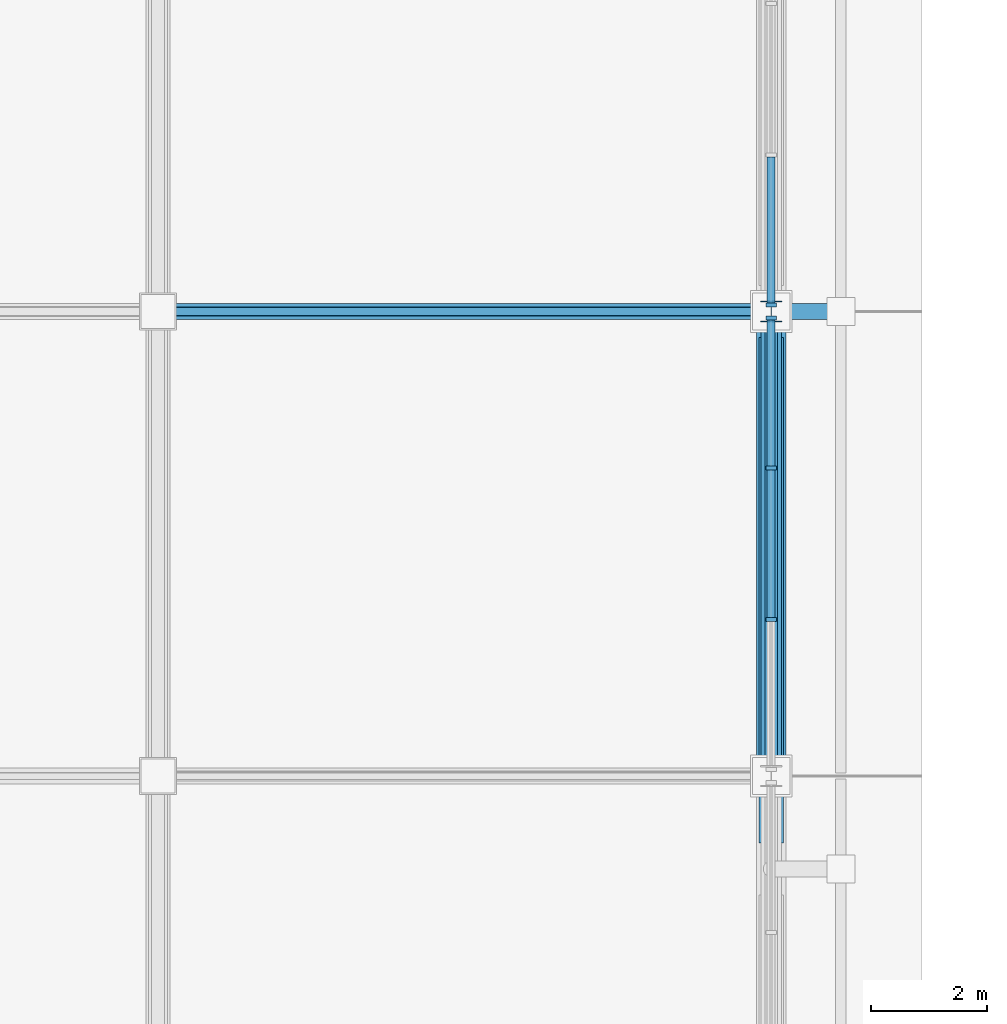
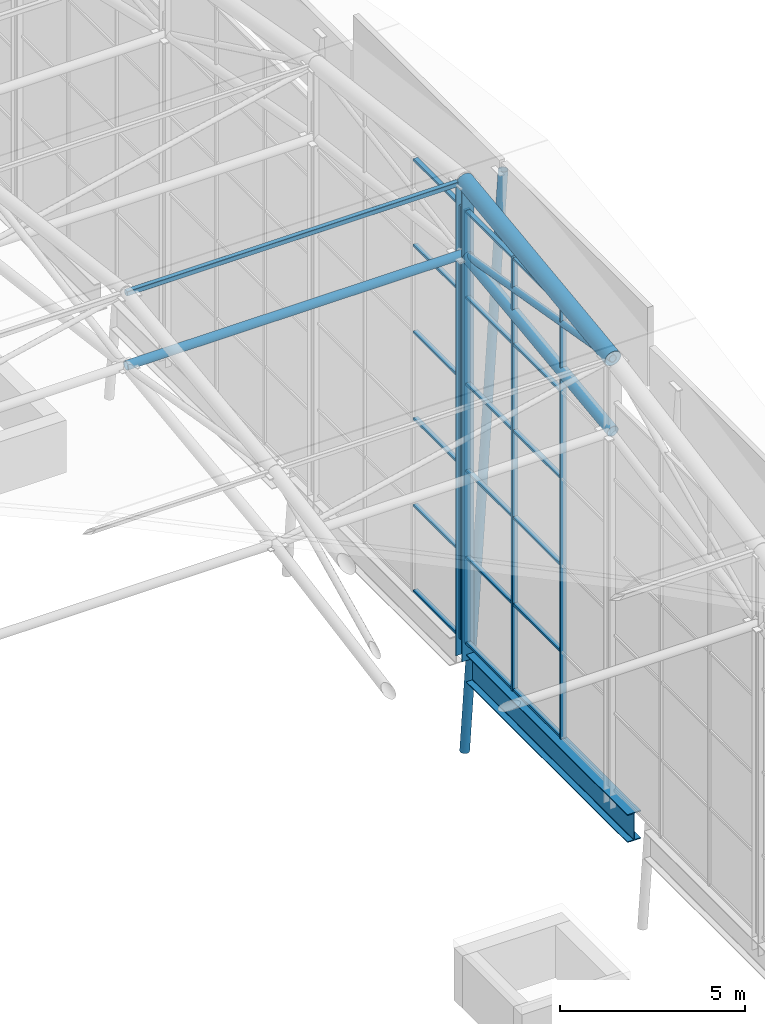
# One storey, part 15 of 42: 29 members, 1 beam, 2 elements without a shape of their own.
"""IFC4 building model written with IfcOpenShell, lengths in metres."""

import ifcopenshell
import ifcopenshell.guid

model = None  # the IFC model being written
_history = None  # IfcOwnerHistory: only IFC2X3 demands one
_inside = {}  # id of a spatial element -> (the spatial element, [elements in it])
_under = {}  # id of a project, library or spatial element -> (it, [spatial elements below it])
_declared = {}  # id of a project -> (the project, [libraries it declares])
_typed = {}  # id of a type object -> (the type object, [elements of that type])
_made_of = {}  # id of a material, layer set ... -> (it, [elements and type objects made of it])


def new_model(schema):
    """Start an empty IFC model of exactly this schema.

    Asked for "IFC4X3", IfcOpenShell would pick the latest addendum, in which some entities
    have other attributes; the version numbers below select the first issue.
    IFC2X3 requires an IfcOwnerHistory on every rooted entity: one is made here for all.
    """
    global model, _history
    if schema == "IFC4X3":
        model = ifcopenshell.file(schema_version=(4, 3, 0, 0))
    else:
        model = ifcopenshell.file(schema=schema)
    _inside.clear()
    _under.clear()
    _declared.clear()
    _typed.clear()
    _made_of.clear()
    _history = None
    if model.schema == "IFC2X3":
        org = make("IfcOrganization", Name="unknown")
        user = make(
            "IfcPersonAndOrganization",
            ThePerson=make("IfcPerson", FamilyName="unknown"),
            TheOrganization=org,
        )
        app = make(
            "IfcApplication",
            ApplicationDeveloper=org,
            Version="unknown",
            ApplicationFullName="unknown",
            ApplicationIdentifier="unknown",
        )
        _history = make(
            "IfcOwnerHistory",
            OwningUser=user,
            OwningApplication=app,
            ChangeAction="ADDED",
            CreationDate=0,
        )
    return model


def make(cls, **values):
    """One entity of the class cls with the attributes given. An attribute that is None is left unset."""
    return model.create_entity(
        cls, **{name: value for name, value in values.items() if value is not None}
    )


def rooted(cls, **values):
    """An entity with a GlobalId (a new one), such as an element, a storey or a relation."""
    return make(cls, GlobalId=ifcopenshell.guid.new(), OwnerHistory=_history, **values)


def si_unit(unit_type, name, prefix=None):
    """IfcSIUnit, for example si_unit("LENGTHUNIT", "METRE", prefix="MILLI")."""
    return make("IfcSIUnit", UnitType=unit_type, Prefix=prefix, Name=name)


def assignment(units):
    """IfcUnitAssignment: the units of a project."""
    return None if units is None else make("IfcUnitAssignment", Units=units)


def point(xyz):
    """IfcCartesianPoint."""
    return None if xyz is None else make("IfcCartesianPoint", Coordinates=xyz)


def direction(xyz):
    """IfcDirection."""
    return None if xyz is None else make("IfcDirection", DirectionRatios=xyz)


def frame(location, z_axis=None, x_axis=None):
    """IfcAxis2Placement3D, a coordinate frame: its origin and axes. An axis left out is left unset."""
    return make(
        "IfcAxis2Placement3D",
        Location=point(location),
        Axis=direction(z_axis),
        RefDirection=direction(x_axis),
    )


def frame_2d(location, x_axis=None):
    """IfcAxis2Placement2D, a coordinate frame in the plane: its origin and x axis."""
    return make(
        "IfcAxis2Placement2D", Location=point(location), RefDirection=direction(x_axis)
    )


def origin():
    """The frame at (0, 0, 0) with its axes left unset."""
    return frame((0.0, 0.0, 0.0))


def origin_2d():
    """The frame at (0, 0) in the plane with its x axis left unset."""
    return frame_2d((0.0, 0.0))


def place(relative_to, where):
    """IfcLocalPlacement: puts the frame where relative to a parent placement (None: the world)."""
    return make(
        "IfcLocalPlacement", PlacementRelTo=relative_to, RelativePlacement=where
    )


def context(
    kind, dimensions, precision=None, world=None, true_north=None, identifier=None
):
    """IfcGeometricRepresentationContext, for example the 3D "Model" context."""
    return make(
        "IfcGeometricRepresentationContext",
        ContextIdentifier=identifier,
        ContextType=kind,
        CoordinateSpaceDimension=dimensions,
        Precision=precision,
        WorldCoordinateSystem=world,
        TrueNorth=true_north,
    )


def subcontext(parent, identifier, kind, view, scale=None):
    """IfcGeometricRepresentationSubContext, for example "Body" below "Model"."""
    return make(
        "IfcGeometricRepresentationSubContext",
        ContextIdentifier=identifier,
        ContextType=kind,
        ParentContext=parent,
        TargetScale=scale,
        TargetView=view,
    )


def project(units=None, contexts=None):
    """IfcProject with its units and contexts."""
    return rooted(
        "IfcProject",
        Name="project",
        RepresentationContexts=contexts,
        UnitsInContext=assignment(units),
    )


def spatial(cls, under=None, at=None, **own):
    """A site, building, storey or space (cls), placed at a placement, below another one or the project."""
    s = rooted(cls, ObjectPlacement=at, **own)
    if under is not None:
        _under.setdefault(under.id(), (under, []))[1].append(s)
    return s


def profile(cls, at=None, kind="AREA", **sizes):
    """A parametric profile (cls). Its sizes go by their IFC names, for example OverallWidth=200.0."""
    return make(cls, ProfileType=kind, Position=at, **sizes)


def rectangle(**sizes):
    """IfcRectangleProfileDef."""
    return profile("IfcRectangleProfileDef", **sizes)


def hollow_rectangle(**sizes):
    """IfcRectangleHollowProfileDef."""
    return profile("IfcRectangleHollowProfileDef", **sizes)


def hollow_circle(**sizes):
    """IfcCircleHollowProfileDef."""
    return profile("IfcCircleHollowProfileDef", **sizes)


def i_section(**sizes):
    """IfcIShapeProfileDef."""
    return profile("IfcIShapeProfileDef", **sizes)


def extrude(swept, where, along, depth):
    """IfcExtrudedAreaSolid: the profile swept, set in the frame where, extruded along a direction by depth."""
    return make(
        "IfcExtrudedAreaSolid",
        SweptArea=swept,
        Position=where,
        ExtrudedDirection=direction(along),
        Depth=depth,
    )


def shape(context_of_items, identifier, shape_type, items):
    """IfcShapeRepresentation: the items that make up one representation, for example the "Body"."""
    return make(
        "IfcShapeRepresentation",
        ContextOfItems=context_of_items,
        RepresentationIdentifier=identifier,
        RepresentationType=shape_type,
        Items=items,
    )


def material(Name=None, Category=None):
    """IfcMaterial."""
    return make("IfcMaterial", Name=Name, Category=Category)


def layer(
    of_material, thickness, ventilated=None, Name=None, Category=None, Priority=None
):
    """IfcMaterialLayer: one layer of a wall or slab, of a material (None: an air gap)."""
    return make(
        "IfcMaterialLayer",
        Material=of_material,
        LayerThickness=thickness,
        IsVentilated=ventilated,
        Name=Name,
        Category=Category,
        Priority=Priority,
    )


def layer_set(layers, Name=None):
    """IfcMaterialLayerSet."""
    return make("IfcMaterialLayerSet", MaterialLayers=layers, LayerSetName=Name)


def material_profile(
    of_material, cross_section, Name=None, Category=None, Priority=None
):
    """IfcMaterialProfile: a cross section and its material."""
    return make(
        "IfcMaterialProfile",
        Name=Name,
        Material=of_material,
        Profile=cross_section,
        Priority=Priority,
        Category=Category,
    )


def profile_set(profiles, Name=None, composite=None):
    """IfcMaterialProfileSet."""
    return make(
        "IfcMaterialProfileSet",
        Name=Name,
        MaterialProfiles=profiles,
        CompositeProfile=composite,
    )


def made_of(thing, what):
    """Note that an element or type object is made of a material, layer set ...; save() writes the relation."""
    if what is not None:
        _made_of.setdefault(what.id(), (what, []))[1].append(thing)
    return thing


def type_object(cls, material=None, **own):
    """A type object (cls), such as IfcWallType, which elements share."""
    return made_of(rooted(cls, **own), material)


def element(
    cls,
    number,
    at=None,
    inside=None,
    cuts=None,
    type_object=None,
    material=None,
    context=None,
    identifier="Body",
    shape_type=None,
    held_by="IfcProductDefinitionShape",
    body=None,
    shapes=None,
    **own,
):
    """One element of the class cls, such as IfcWall. Its Tag is "e" and its number.

    at: its placement. inside: the storey or other place that contains it. cuts: it is an
    opening in that element (IfcRelVoidsElement). A single representation is given by context,
    identifier, shape_type and body (its items); several are given by shapes. held_by: the class
    of the entity that holds the representations. save() writes the other relations.
    """
    e = rooted(cls, Tag="e%d" % number, ObjectPlacement=at, **own)
    if body is not None:
        shapes = [shape(context, identifier, shape_type, body)]
    if shapes is not None:
        e.Representation = make(held_by, Representations=shapes)
    if inside is not None:
        _inside.setdefault(inside.id(), (inside, []))[1].append(e)
    if cuts is not None:
        rooted(
            "IfcRelVoidsElement", RelatingBuildingElement=cuts, RelatedOpeningElement=e
        )
    if type_object is not None:
        _typed.setdefault(type_object.id(), (type_object, []))[1].append(e)
    return made_of(e, material)


def aggregate(whole, parts):
    """IfcRelAggregates: a whole, such as a stair, and the parts it consists of."""
    return rooted("IfcRelAggregates", RelatingObject=whole, RelatedObjects=parts)


def save(model, path):
    """Write the relations noted so far, then the file.

    IfcRelAggregates (storeys below a building ...), IfcRelContainedInSpatialStructure (elements
    in a storey), IfcRelDefinesByType, IfcRelAssociatesMaterial and IfcRelDeclares: one each for
    every whole, place, type object, material and project.
    """
    for whole, parts in _under.values():
        aggregate(whole, parts)
    for where, things in _inside.values():
        rooted(
            "IfcRelContainedInSpatialStructure",
            RelatedElements=things,
            RelatingStructure=where,
        )
    for kind, things in _typed.values():
        rooted("IfcRelDefinesByType", RelatedObjects=things, RelatingType=kind)
    for what, things in _made_of.values():
        rooted("IfcRelAssociatesMaterial", RelatedObjects=things, RelatingMaterial=what)
    for by, libraries in _declared.values():
        rooted("IfcRelDeclares", RelatingContext=by, RelatedDefinitions=libraries)
    model.write(path)


model = new_model("IFC4")

# Units and contexts
model_context = context("Model", 3, precision=1e-05, world=origin(), true_north=direction((0.0, 1.0)))
body_context = subcontext(model_context, "Body", "Model", "MODEL_VIEW")
ifc_project = project(units=[si_unit("LENGTHUNIT", "METRE"), si_unit("AREAUNIT", "SQUARE_METRE"), si_unit("VOLUMEUNIT", "CUBIC_METRE"), si_unit("PLANEANGLEUNIT", "RADIAN"), si_unit("MASSUNIT", "GRAM", prefix="KILO")], contexts=[model_context])

# Site, building, storey
site_placement = place(None, origin())
site = spatial("IfcSite", under=ifc_project, at=site_placement, CompositionType="ELEMENT")
building_placement = place(site_placement, origin())
building = spatial("IfcBuilding", under=site, at=building_placement, Name="Caelomonte Colonnade Arena", CompositionType="ELEMENT")
storey_placement = place(building_placement, frame((0.0, 0.0, 28.199951171875)))
storey = spatial("IfcBuildingStorey", under=building, at=storey_placement, Name="RF", CompositionType="ELEMENT", Elevation=28.199951171875)

# Curtain wall, members
ifc_material_1 = material(Name="Bronze anodised aluminium and low-E glazing", Category="aluminium")
ifc_layer_1 = layer(ifc_material_1, 0.179931640625)
ifc_layer_set_1 = layer_set([ifc_layer_1], Name="Bronze anodised aluminium and low-E glazing")
curtain_wall_type_1 = type_object("IfcCurtainWallType", Name="ENV-CW-CW-TYMP-04", PredefinedType="USERDEFINED", material=ifc_layer_set_1)
curtain_wall_1_placement = place(storey_placement, origin())
curtain_wall_1 = element("IfcCurtainWall", 1, at=curtain_wall_1_placement, inside=storey, type_object=curtain_wall_type_1, Name="Barrel arch E clerestory tympanum curtain wall 4", ObjectType="UNITIZED CURTAIN WALL", PredefinedType="USERDEFINED")
ifc_material_2 = material(Name="Bronze anodised aluminium AA6063-T6", Category="aluminium")
ifc_material_profile_1 = material_profile(ifc_material_2, rectangle(XDim=0.070068359375, YDim=0.179931640625, at=origin_2d()), Name="CWM-70X180")
ifc_profile_set_1 = profile_set([ifc_material_profile_1], Name="Bronze anodised aluminium AA6063-T6")
member_type_1 = type_object("IfcMemberType", Name="ENV-CW-MULL1", PredefinedType="MULLION", material=ifc_profile_set_1)
member_1_placement = place(storey_placement, frame((163.199951171875, 61.893310546875, -0.14990234375), z_axis=(0.0, 0.0, 1.0), x_axis=(0.0, 1.0, 0.0)))
member_1 = element("IfcMember", 2, at=member_1_placement, type_object=member_type_1, Name="CW-TYMP-04 mullion 2", PredefinedType="MULLION", context=body_context, shape_type="SweptSolid", body=[
    extrude(rectangle(XDim=0.070068359375, YDim=0.179931640625, at=origin_2d()), origin(), (0.0, 0.0, 1.0), 14.284912109375),
])
member_2_placement = place(storey_placement, frame((163.199951171875, 64.506591796875, -0.14990234375), z_axis=(0.0, 0.0, 1.0), x_axis=(0.0, 1.0, 0.0)))
member_2 = element("IfcMember", 3, at=member_2_placement, type_object=member_type_1, Name="CW-TYMP-04 mullion 3", PredefinedType="MULLION", context=body_context, shape_type="SweptSolid", body=[
    extrude(rectangle(XDim=0.070068359375, YDim=0.179931640625, at=origin_2d()), origin(), (0.0, 0.0, 1.0), 14.284912109375),
])
member_3_placement = place(storey_placement, frame((163.199951171875, 67.0849609375, -0.14990234375), z_axis=(0.0, 0.0, 1.0), x_axis=(0.0, 1.0, 0.0)))
member_3 = element("IfcMember", 4, at=member_3_placement, type_object=member_type_1, Name="CW-TYMP-04 mullion 4", PredefinedType="MULLION", context=body_context, shape_type="SweptSolid", body=[
    extrude(rectangle(XDim=0.070068359375, YDim=0.179931640625, at=origin_2d()), origin(), (0.0, 0.0, 1.0), 14.284912109375),
])

# Curtain wall, member
ifc_layer_2 = layer(ifc_material_1, 0.179931640625)
ifc_layer_set_2 = layer_set([ifc_layer_2], Name="Bronze anodised aluminium and low-E glazing")
curtain_wall_type_2 = type_object("IfcCurtainWallType", Name="ENV-CW-CW-TYMP-05", PredefinedType="USERDEFINED", material=ifc_layer_set_2)
curtain_wall_2_placement = place(storey_placement, origin())
curtain_wall_2 = element("IfcCurtainWall", 5, at=curtain_wall_2_placement, inside=storey, type_object=curtain_wall_type_2, Name="Barrel arch E clerestory tympanum curtain wall 5", ObjectType="UNITIZED CURTAIN WALL", PredefinedType="USERDEFINED")
member_4_placement = place(storey_placement, frame((163.199951171875, 67.31494140625, -0.14990234375), z_axis=(0.0, 0.0, 1.0), x_axis=(0.0, 1.0, 0.0)))
member_4 = element("IfcMember", 6, at=member_4_placement, type_object=member_type_1, Name="CW-TYMP-05 mullion 1", PredefinedType="MULLION", context=body_context, shape_type="SweptSolid", body=[
    extrude(rectangle(XDim=0.070068359375, YDim=0.179931640625, at=origin_2d()), origin(), (0.0, 0.0, 1.0), 14.284912109375),
])

# Member
ifc_material_profile_2 = material_profile(ifc_material_2, rectangle(XDim=0.070068359375, YDim=0.139892578125, at=origin_2d()), Name="CWT-70X140")
ifc_profile_set_2 = profile_set([ifc_material_profile_2], Name="Bronze anodised aluminium AA6063-T6")
member_type_2 = type_object("IfcMemberType", Name="ENV-CW-TRAN1", PredefinedType="USERDEFINED", material=ifc_profile_set_2)
member_5_placement = place(storey_placement, frame((163.199951171875, 61.92822265625, -0.114990234375), z_axis=(0.0, 1.0, 0.0), x_axis=(0.0, 0.0, 1.0)))
member_5 = element("IfcMember", 7, at=member_5_placement, type_object=member_type_2, Name="CW-TYMP-04 transom 2.1", ObjectType="TRANSOM", PredefinedType="USERDEFINED", context=body_context, shape_type="SweptSolid", body=[
    extrude(rectangle(XDim=0.070068359375, YDim=0.139892578125, at=origin_2d()), origin(), (0.0, 0.0, 1.0), 2.54345703125),
])

member_6_placement = place(storey_placement, frame((163.199951171875, 61.92822265625, 2.70703125), z_axis=(0.0, 1.0, 0.0), x_axis=(0.0, 0.0, 1.0)))
member_6 = element("IfcMember", 8, at=member_6_placement, type_object=member_type_2, Name="CW-TYMP-04 transom 2.2", ObjectType="TRANSOM", PredefinedType="USERDEFINED", context=body_context, shape_type="SweptSolid", body=[
    extrude(rectangle(XDim=0.070068359375, YDim=0.139892578125, at=origin_2d()), origin(), (0.0, 0.0, 1.0), 2.54345703125),
])

member_7_placement = place(storey_placement, frame((163.199951171875, 61.92822265625, 5.56396484375), z_axis=(0.0, 1.0, 0.0), x_axis=(0.0, 0.0, 1.0)))
member_7 = element("IfcMember", 9, at=member_7_placement, type_object=member_type_2, Name="CW-TYMP-04 transom 2.3", ObjectType="TRANSOM", PredefinedType="USERDEFINED", context=body_context, shape_type="SweptSolid", body=[
    extrude(rectangle(XDim=0.070068359375, YDim=0.139892578125, at=origin_2d()), origin(), (0.0, 0.0, 1.0), 2.54345703125),
])

member_8_placement = place(storey_placement, frame((163.199951171875, 61.92822265625, 8.421142578125), z_axis=(0.0, 1.0, 0.0), x_axis=(0.0, 0.0, 1.0)))
member_8 = element("IfcMember", 10, at=member_8_placement, type_object=member_type_2, Name="CW-TYMP-04 transom 2.4", ObjectType="TRANSOM", PredefinedType="USERDEFINED", context=body_context, shape_type="SweptSolid", body=[
    extrude(rectangle(XDim=0.070068359375, YDim=0.139892578125, at=origin_2d()), origin(), (0.0, 0.0, 1.0), 2.54345703125),
])

member_9_placement = place(storey_placement, frame((163.199951171875, 61.92822265625, 11.278076171875), z_axis=(0.0, 1.0, 0.0), x_axis=(0.0, 0.0, 1.0)))
member_9 = element("IfcMember", 11, at=member_9_placement, type_object=member_type_2, Name="CW-TYMP-04 transom 2.5", ObjectType="TRANSOM", PredefinedType="USERDEFINED", context=body_context, shape_type="SweptSolid", body=[
    extrude(rectangle(XDim=0.070068359375, YDim=0.139892578125, at=origin_2d()), origin(), (0.0, 0.0, 1.0), 2.54345703125),
])

member_10_placement = place(storey_placement, frame((163.199951171875, 61.92822265625, 14.10009765625), z_axis=(0.0, 1.0, 0.0), x_axis=(0.0, 0.0, 1.0)))
member_10 = element("IfcMember", 12, at=member_10_placement, type_object=member_type_2, Name="CW-TYMP-04 transom 2.6", ObjectType="TRANSOM", PredefinedType="USERDEFINED", context=body_context, shape_type="SweptSolid", body=[
    extrude(rectangle(XDim=0.070068359375, YDim=0.139892578125, at=origin_2d()), origin(), (0.0, 0.0, 1.0), 2.54345703125),
])

member_11_placement = place(storey_placement, frame((163.199951171875, 64.541748046875, -0.114990234375), z_axis=(0.0, 1.0, 0.0), x_axis=(0.0, 0.0, 1.0)))
member_11 = element("IfcMember", 13, at=member_11_placement, type_object=member_type_2, Name="CW-TYMP-04 transom 3.1", ObjectType="TRANSOM", PredefinedType="USERDEFINED", context=body_context, shape_type="SweptSolid", body=[
    extrude(rectangle(XDim=0.070068359375, YDim=0.139892578125, at=origin_2d()), origin(), (0.0, 0.0, 1.0), 2.50830078125),
])

member_12_placement = place(storey_placement, frame((163.199951171875, 64.541748046875, 2.70703125), z_axis=(0.0, 1.0, 0.0), x_axis=(0.0, 0.0, 1.0)))
member_12 = element("IfcMember", 14, at=member_12_placement, type_object=member_type_2, Name="CW-TYMP-04 transom 3.2", ObjectType="TRANSOM", PredefinedType="USERDEFINED", context=body_context, shape_type="SweptSolid", body=[
    extrude(rectangle(XDim=0.070068359375, YDim=0.139892578125, at=origin_2d()), origin(), (0.0, 0.0, 1.0), 2.50830078125),
])

member_13_placement = place(storey_placement, frame((163.199951171875, 64.541748046875, 5.56396484375), z_axis=(0.0, 1.0, 0.0), x_axis=(0.0, 0.0, 1.0)))
member_13 = element("IfcMember", 15, at=member_13_placement, type_object=member_type_2, Name="CW-TYMP-04 transom 3.3", ObjectType="TRANSOM", PredefinedType="USERDEFINED", context=body_context, shape_type="SweptSolid", body=[
    extrude(rectangle(XDim=0.070068359375, YDim=0.139892578125, at=origin_2d()), origin(), (0.0, 0.0, 1.0), 2.50830078125),
])

member_14_placement = place(storey_placement, frame((163.199951171875, 64.541748046875, 8.421142578125), z_axis=(0.0, 1.0, 0.0), x_axis=(0.0, 0.0, 1.0)))
member_14 = element("IfcMember", 16, at=member_14_placement, type_object=member_type_2, Name="CW-TYMP-04 transom 3.4", ObjectType="TRANSOM", PredefinedType="USERDEFINED", context=body_context, shape_type="SweptSolid", body=[
    extrude(rectangle(XDim=0.070068359375, YDim=0.139892578125, at=origin_2d()), origin(), (0.0, 0.0, 1.0), 2.50830078125),
])

member_15_placement = place(storey_placement, frame((163.199951171875, 64.541748046875, 11.278076171875), z_axis=(0.0, 1.0, 0.0), x_axis=(0.0, 0.0, 1.0)))
member_15 = element("IfcMember", 17, at=member_15_placement, type_object=member_type_2, Name="CW-TYMP-04 transom 3.5", ObjectType="TRANSOM", PredefinedType="USERDEFINED", context=body_context, shape_type="SweptSolid", body=[
    extrude(rectangle(XDim=0.070068359375, YDim=0.139892578125, at=origin_2d()), origin(), (0.0, 0.0, 1.0), 2.50830078125),
])

member_16_placement = place(storey_placement, frame((163.199951171875, 64.541748046875, 14.10009765625), z_axis=(0.0, 1.0, 0.0), x_axis=(0.0, 0.0, 1.0)))
member_16 = element("IfcMember", 18, at=member_16_placement, type_object=member_type_2, Name="CW-TYMP-04 transom 3.6", ObjectType="TRANSOM", PredefinedType="USERDEFINED", context=body_context, shape_type="SweptSolid", body=[
    extrude(rectangle(XDim=0.070068359375, YDim=0.139892578125, at=origin_2d()), origin(), (0.0, 0.0, 1.0), 2.50830078125),
])

aggregate(curtain_wall_1, [member_1, member_2, member_3, member_5, member_6, member_7, member_8, member_9, member_10, member_11, member_12, member_13, member_14, member_15, member_16])

member_17_placement = place(storey_placement, frame((163.199951171875, 67.35009765625, -0.114990234375), z_axis=(0.0, 1.0, 0.0), x_axis=(0.0, 0.0, 1.0)))
member_17 = element("IfcMember", 19, at=member_17_placement, type_object=member_type_2, Name="CW-TYMP-05 transom 1.1", ObjectType="TRANSOM", PredefinedType="USERDEFINED", context=body_context, shape_type="SweptSolid", body=[
    extrude(rectangle(XDim=0.070068359375, YDim=0.139892578125, at=origin_2d()), origin(), (0.0, 0.0, 1.0), 2.50830078125),
])

member_18_placement = place(storey_placement, frame((163.199951171875, 67.35009765625, 2.70703125), z_axis=(0.0, 1.0, 0.0), x_axis=(0.0, 0.0, 1.0)))
member_18 = element("IfcMember", 20, at=member_18_placement, type_object=member_type_2, Name="CW-TYMP-05 transom 1.2", ObjectType="TRANSOM", PredefinedType="USERDEFINED", context=body_context, shape_type="SweptSolid", body=[
    extrude(rectangle(XDim=0.070068359375, YDim=0.139892578125, at=origin_2d()), origin(), (0.0, 0.0, 1.0), 2.50830078125),
])

member_19_placement = place(storey_placement, frame((163.199951171875, 67.35009765625, 5.56396484375), z_axis=(0.0, 1.0, 0.0), x_axis=(0.0, 0.0, 1.0)))
member_19 = element("IfcMember", 21, at=member_19_placement, type_object=member_type_2, Name="CW-TYMP-05 transom 1.3", ObjectType="TRANSOM", PredefinedType="USERDEFINED", context=body_context, shape_type="SweptSolid", body=[
    extrude(rectangle(XDim=0.070068359375, YDim=0.139892578125, at=origin_2d()), origin(), (0.0, 0.0, 1.0), 2.50830078125),
])

member_20_placement = place(storey_placement, frame((163.199951171875, 67.35009765625, 8.421142578125), z_axis=(0.0, 1.0, 0.0), x_axis=(0.0, 0.0, 1.0)))
member_20 = element("IfcMember", 22, at=member_20_placement, type_object=member_type_2, Name="CW-TYMP-05 transom 1.4", ObjectType="TRANSOM", PredefinedType="USERDEFINED", context=body_context, shape_type="SweptSolid", body=[
    extrude(rectangle(XDim=0.070068359375, YDim=0.139892578125, at=origin_2d()), origin(), (0.0, 0.0, 1.0), 2.50830078125),
])

member_21_placement = place(storey_placement, frame((163.199951171875, 67.35009765625, 11.278076171875), z_axis=(0.0, 1.0, 0.0), x_axis=(0.0, 0.0, 1.0)))
member_21 = element("IfcMember", 23, at=member_21_placement, type_object=member_type_2, Name="CW-TYMP-05 transom 1.5", ObjectType="TRANSOM", PredefinedType="USERDEFINED", context=body_context, shape_type="SweptSolid", body=[
    extrude(rectangle(XDim=0.070068359375, YDim=0.139892578125, at=origin_2d()), origin(), (0.0, 0.0, 1.0), 2.50830078125),
])

member_22_placement = place(storey_placement, frame((163.199951171875, 67.35009765625, 14.10009765625), z_axis=(0.0, 1.0, 0.0), x_axis=(0.0, 0.0, 1.0)))
member_22 = element("IfcMember", 24, at=member_22_placement, type_object=member_type_2, Name="CW-TYMP-05 transom 1.6", ObjectType="TRANSOM", PredefinedType="USERDEFINED", context=body_context, shape_type="SweptSolid", body=[
    extrude(rectangle(XDim=0.070068359375, YDim=0.139892578125, at=origin_2d()), origin(), (0.0, 0.0, 1.0), 2.50830078125),
])

aggregate(curtain_wall_2, [member_4, member_17, member_18, member_19, member_20, member_21, member_22])

# Beam
ifc_material_3 = material(Name="Wide-flange steel ASTM A992 Grade 50", Category="steel")
ifc_material_profile_3 = material_profile(ifc_material_3, i_section(OverallWidth=0.418212890625, OverallDepth=0.927001953125, WebThickness=0.019287109375, FlangeThickness=0.031982421875, FilletRadius=0.024169921875, at=origin_2d()), Name="W36X231")
ifc_profile_set_3 = profile_set([ifc_material_profile_3], Name="Wide-flange steel ASTM A992 Grade 50")
beam_type = type_object("IfcBeamType", Name="STR-BM-EAVES1", PredefinedType="SPANDREL", material=ifc_profile_set_3)
beam_placement = place(storey_placement, frame((163.199951171875, 58.04931640625, -0.743408203125), z_axis=(0.0, 1.0, 0.0), x_axis=(-1.0, 0.0, 0.0)))
element("IfcBeam", 25, at=beam_placement, inside=storey, type_object=beam_type, Name="RF girder BMY-RF-1632-0576", PredefinedType="SPANDREL", context=body_context, shape_type="SweptSolid", body=[
    extrude(i_section(OverallWidth=0.418212890625, OverallDepth=0.927001953125, WebThickness=0.019287109375, FlangeThickness=0.031982421875, FilletRadius=0.024169921875, at=origin_2d()), origin(), (0.0, 0.0, 1.0), 8.701416015625),
])

# Members
ifc_material_profile_4 = material_profile(ifc_material_3, i_section(OverallWidth=0.368896484375, OverallDepth=0.356201171875, WebThickness=0.01123046875, FlangeThickness=0.01806640625, FilletRadius=0.01513671875, at=origin_2d()), Name="W14X90")
ifc_profile_set_4 = profile_set([ifc_material_profile_4], Name="Wide-flange steel ASTM A992 Grade 50")
member_type_3 = type_object("IfcMemberType", Name="STR-CAT-STR", PredefinedType="STRUT", material=ifc_profile_set_4)
member_23_placement = place(storey_placement, frame((163.199951171875, 67.199951171875, -0.699951171875), z_axis=(0.0, 0.0, 1.0), x_axis=(1.0, 0.0, 0.0)))
element("IfcMember", 26, at=member_23_placement, inside=storey, type_object=member_type_3, Name="Roof truss eaves bearing post 10-6", PredefinedType="STRUT", context=body_context, shape_type="SweptSolid", body=[
    extrude(i_section(OverallWidth=0.368896484375, OverallDepth=0.356201171875, WebThickness=0.01123046875, FlangeThickness=0.01806640625, FilletRadius=0.01513671875, at=origin_2d()), origin(), (0.0, 0.0, 1.0), 15.699951171875),
])
ifc_material_4 = material(Name="Steel ASTM A500 Grade C", Category="steel")
ifc_material_profile_5 = material_profile(ifc_material_4, hollow_circle(Radius=0.177734375, WallThickness=0.0126953125, at=origin_2d()), Name="CHS355.6X12.7")
ifc_profile_set_5 = profile_set([ifc_material_profile_5], Name="Steel ASTM A500 Grade C")
member_type_4 = type_object("IfcMemberType", Name="STR-SF-BC1", PredefinedType="CHORD", material=ifc_profile_set_5)
member_24_placement = place(storey_placement, frame((163.199951171875, 59.201904296875, 11.58544921875), z_axis=(0.0, 0.992048803131, 0.125853773113), x_axis=(-1.0, 0.0, 0.0)))
element("IfcMember", 27, at=member_24_placement, inside=storey, type_object=member_type_4, Name="Arched roof truss bottom chord 10-5", PredefinedType="CHORD", context=body_context, shape_type="SweptSolid", body=[
    extrude(hollow_circle(Radius=0.177734375, WallThickness=0.0126953125, at=origin_2d()), origin(), (0.0, 0.0, 1.0), 8.060302734375),
])
ifc_material_profile_6 = material_profile(ifc_material_4, hollow_rectangle(XDim=0.15234375, YDim=0.15234375, WallThickness=0.008056640625, InnerFilletRadius=0.008056640625, OuterFilletRadius=0.01611328125, at=origin_2d()), Name="HSS152X152X8.0")
ifc_profile_set_6 = profile_set([ifc_material_profile_6], Name="Steel ASTM A500 Grade C")
member_type_5 = type_object("IfcMemberType", Name="STR-SF-PUR2", PredefinedType="PURLIN", material=ifc_profile_set_6)
member_25_placement = place(storey_placement, frame((152.64208984375, 67.199951171875, 15.0), z_axis=(1.0, 0.0, 0.0), x_axis=(0.0, 1.0, 0.0)))
element("IfcMember", 28, at=member_25_placement, inside=storey, type_object=member_type_5, Name="Arched roof purlin 9-6", PredefinedType="PURLIN", context=body_context, shape_type="SweptSolid", body=[
    extrude(hollow_rectangle(XDim=0.15234375, YDim=0.15234375, WallThickness=0.008056640625, InnerFilletRadius=0.008056640625, OuterFilletRadius=0.01611328125, at=origin_2d()), origin(), (0.0, 0.0, 1.0), 10.555908203125),
])
ifc_material_profile_7 = material_profile(ifc_material_4, hollow_circle(Radius=0.25390625, WallThickness=0.015869140625, at=origin_2d()), Name="CHS508X15.9")
ifc_profile_set_7 = profile_set([ifc_material_profile_7], Name="Steel ASTM A500 Grade C")
member_type_6 = type_object("IfcMemberType", Name="STR-SF-TC1", PredefinedType="CHORD", material=ifc_profile_set_7)
member_26_placement = place(storey_placement, frame((163.199951171875, 59.201904296875, 13.9853515625), z_axis=(0.0, 0.992048803131, 0.125853773113), x_axis=(-1.0, 0.0, 0.0)))
element("IfcMember", 29, at=member_26_placement, inside=storey, type_object=member_type_6, Name="Arched roof truss top chord 10-5", PredefinedType="CHORD", context=body_context, shape_type="SweptSolid", body=[
    extrude(hollow_circle(Radius=0.25390625, WallThickness=0.015869140625, at=origin_2d()), origin(), (0.0, 0.0, 1.0), 8.060302734375),
])
ifc_material_profile_8 = material_profile(ifc_material_4, hollow_circle(Radius=0.136474609375, WallThickness=0.00927734375, at=origin_2d()), Name="CHS273.0X9.3")
ifc_profile_set_8 = profile_set([ifc_material_profile_8], Name="Steel ASTM A500 Grade C")
member_type_7 = type_object("IfcMemberType", Name="STR-SF-TIE", PredefinedType="STRUT", material=ifc_profile_set_8)
member_27_placement = place(storey_placement, frame((152.64208984375, 67.199951171875, 12.60009765625), z_axis=(1.0, 0.0, 0.0), x_axis=(0.0, 1.0, 0.0)))
element("IfcMember", 30, at=member_27_placement, inside=storey, type_object=member_type_7, Name="Space frame roof tie strut 9-6", PredefinedType="STRUT", context=body_context, shape_type="SweptSolid", body=[
    extrude(hollow_circle(Radius=0.136474609375, WallThickness=0.00927734375, at=origin_2d()), origin(), (0.0, 0.0, 1.0), 10.555908203125),
])
member_28_placement = place(storey_placement, frame((163.2001953125, 67.199951171875, -3.7978515625), z_axis=(0.063867879544, 0.0, 0.99795836284), x_axis=(0.0, 1.0, 0.0)))
element("IfcMember", 31, at=member_28_placement, inside=storey, type_object=member_type_7, Name="Roof eaves overhang inclined strut 6", PredefinedType="STRUT", context=body_context, shape_type="SweptSolid", body=[
    extrude(hollow_circle(Radius=0.136474609375, WallThickness=0.00927734375, at=origin_2d()), origin(), (0.0, 0.0, 1.0), 18.7841796875),
])
ifc_material_profile_9 = material_profile(ifc_material_4, hollow_circle(Radius=0.109619140625, WallThickness=0.00830078125, at=origin_2d()), Name="CHS219.1X8.2")
ifc_profile_set_9 = profile_set([ifc_material_profile_9], Name="Steel ASTM A500 Grade C")
member_type_8 = type_object("IfcMemberType", Name="STR-SF-WEB1", PredefinedType="BRACE", material=ifc_profile_set_9)
member_29_placement = place(storey_placement, frame((163.199951171875, 59.201904296875, 13.98486328125), z_axis=(0.0, 0.985338447855, -0.1706110875), x_axis=(-1.0, 0.0, 0.0)))
element("IfcMember", 32, at=member_29_placement, inside=storey, type_object=member_type_8, Name="Space frame roof truss web diagonal 10-5", PredefinedType="BRACE", context=body_context, shape_type="SweptSolid", body=[
    extrude(hollow_circle(Radius=0.109619140625, WallThickness=0.00830078125, at=origin_2d()), origin(), (0.0, 0.0, 1.0), 8.114990234375),
])

save(model, "model.ifc")
